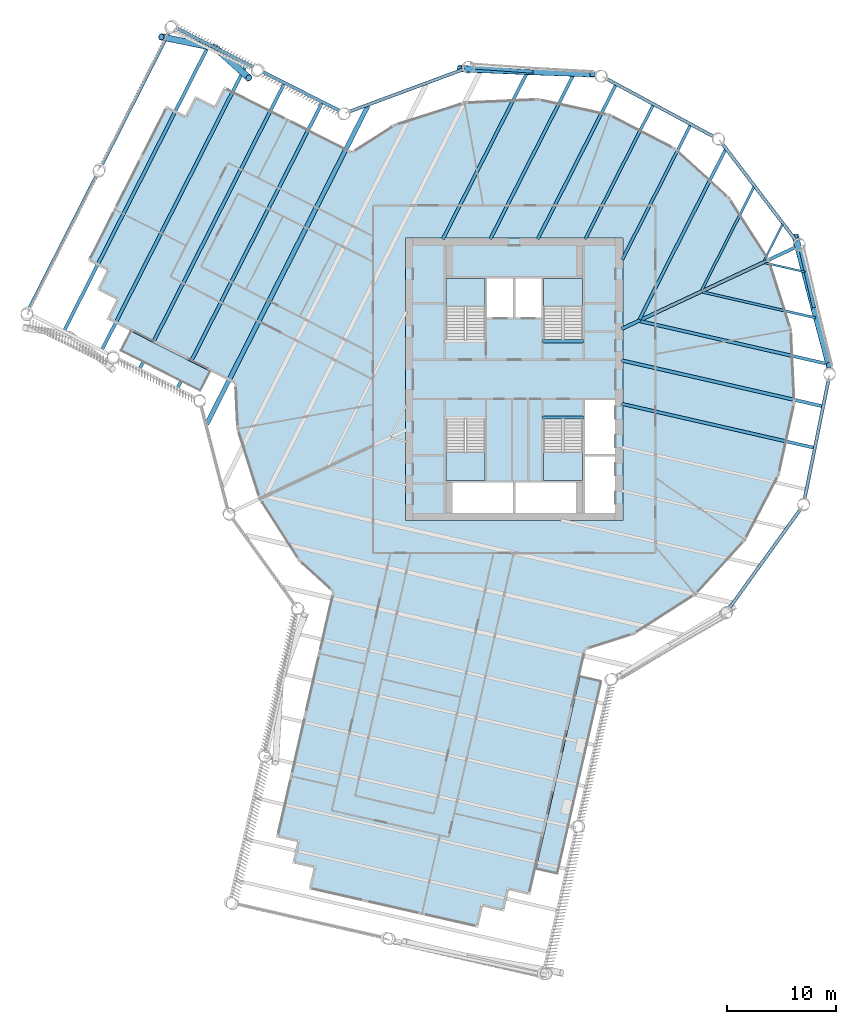
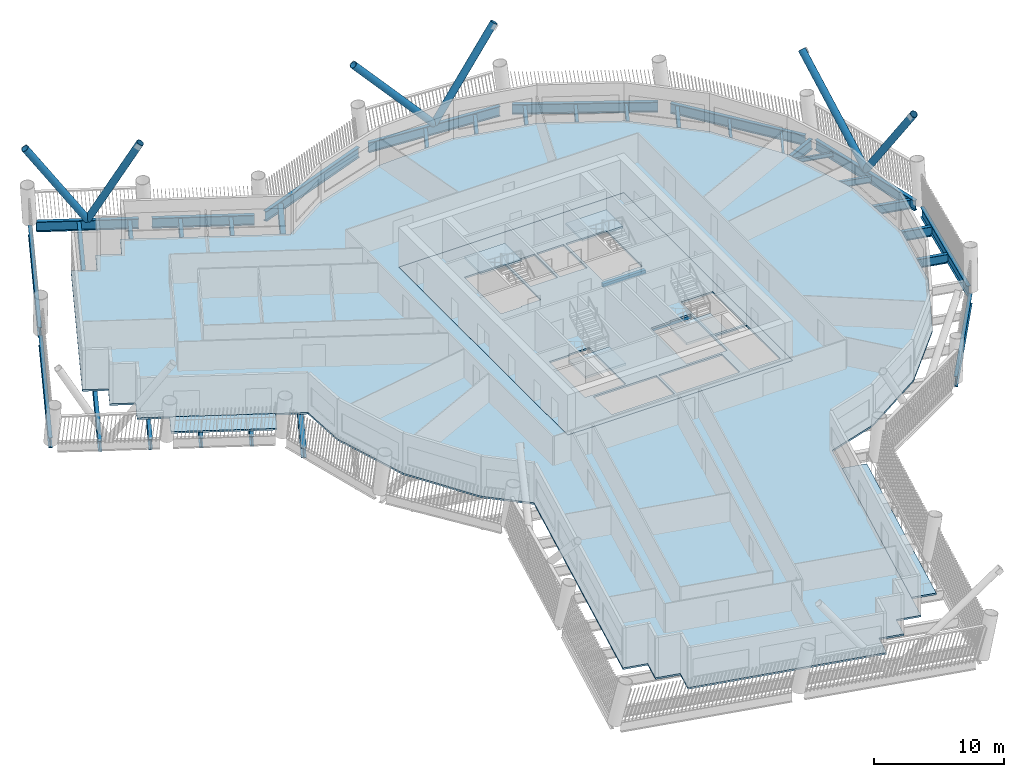
# One storey, part 2 of 21: 32 beams, 8 slabs, 6 members, 4 elements without a shape of their own.
"""IFC4 building model written with IfcOpenShell, lengths in metres."""

from ifc_helpers import new_model, si_unit, direction, frame, origin, origin_2d, place, context, subcontext, project, spatial, polyline, rectangle, hollow_circle, i_section, outline, extrude, material, layer, layer_set, material_profile, profile_set, type_object, element, aggregate, save


model = new_model("IFC4")

# Units and contexts
model_context = context("Model", 3, precision=1e-05, world=origin(), true_north=direction((0.0, 1.0)))
body_context = subcontext(model_context, "Body", "Model", "MODEL_VIEW")
ifc_project = project(units=[si_unit("LENGTHUNIT", "METRE"), si_unit("AREAUNIT", "SQUARE_METRE"), si_unit("VOLUMEUNIT", "CUBIC_METRE"), si_unit("PLANEANGLEUNIT", "RADIAN"), si_unit("MASSUNIT", "GRAM", prefix="KILO")], contexts=[model_context])

# Site, building, storey
site_placement = place(None, origin())
site = spatial("IfcSite", under=ifc_project, at=site_placement, CompositionType="ELEMENT")
building_placement = place(site_placement, origin())
building = spatial("IfcBuilding", under=site, at=building_placement, Name="Tarsis Ring Headquarters", CompositionType="ELEMENT")
storey_placement = place(building_placement, frame((0.0, 0.0, 171.0)))
storey = spatial("IfcBuildingStorey", under=building, at=storey_placement, Name="L39", CompositionType="ELEMENT", Elevation=171.0)

# Beams
ifc_material_1 = material(Name="Structural steel S355", Category="steel")
ifc_material_profile_1 = material_profile(ifc_material_1, i_section(OverallWidth=0.177734375, OverallDepth=0.406494140625, WebThickness=0.0078125, FlangeThickness=0.0126953125, at=origin_2d()), Name="W16x40")
ifc_profile_set_1 = profile_set([ifc_material_profile_1], Name="Structural steel S355")
beam_type_1 = type_object("IfcBeamType", Name="FB Floor beam W16x40", PredefinedType="JOIST", material=ifc_profile_set_1)
for number, where, z_axis, x_axis, name in (
    (1, (23.086181640625, 10.73095703125, -0.36328125), (0.974916213163, -0.222572184499, 0.0), (0.222572184499, 0.974916213163, 0.0), "Floor beam FB1"),
    (2, (24.72607421875, 14.294677734375, -0.36328125), (-0.451801417948, -0.892118534019, 0.0), (0.892118534019, -0.451801417948, 0.0), "Floor beam FB1"),
):
    element("IfcBeam", number, at=place(storey_placement, frame(where, z_axis=z_axis, x_axis=x_axis)), inside=storey, type_object=beam_type_1, Name=name, PredefinedType="JOIST", context=body_context, shape_type="SweptSolid", body=[
        extrude(i_section(OverallWidth=0.177734375, OverallDepth=0.406494140625, WebThickness=0.0078125, FlangeThickness=0.0126953125, at=origin_2d()), origin(), (0.0, 0.0, 1.0), 3.80517578125),
    ])
ifc_material_profile_2 = material_profile(ifc_material_1, i_section(OverallWidth=0.228271484375, OverallDepth=0.607177734375, WebThickness=0.01123046875, FlangeThickness=0.017333984375, at=origin_2d()), Name="W24x76")
ifc_profile_set_2 = profile_set([ifc_material_profile_2], Name="Structural steel S355")
beam_type_2 = type_object("IfcBeamType", Name="FB Floor beam W24x76", PredefinedType="JOIST", material=ifc_profile_set_2)
for number, where, z_axis, x_axis, name in (
    (3, (17.3515625, 8.039794921875, -0.463623046875), (0.974915341291, -0.222576003457, 0.0), (0.222576003457, 0.974915341291, 0.0), "Floor beam FB4"),
    (4, (22.099853515625, 17.74072265625, -0.463623046875), (-0.451823211334, -0.892107496718, 0.0), (0.892107496718, -0.451823211334, 0.0), "Floor beam FB4"),
):
    element("IfcBeam", number, at=place(storey_placement, frame(where, z_axis=z_axis, x_axis=x_axis)), inside=storey, type_object=beam_type_2, Name=name, PredefinedType="JOIST", context=body_context, shape_type="SweptSolid", body=[
        extrude(i_section(OverallWidth=0.228271484375, OverallDepth=0.607177734375, WebThickness=0.01123046875, FlangeThickness=0.017333984375, at=origin_2d()), origin(), (0.0, 0.0, 1.0), 10.684814453125),
    ])
ifc_material_profile_3 = material_profile(ifc_material_1, i_section(OverallWidth=0.2666015625, OverallDepth=0.7568359375, WebThickness=0.013916015625, FlangeThickness=0.019287109375, at=origin_2d()), Name="W30x108")
ifc_profile_set_3 = profile_set([ifc_material_profile_3], Name="Structural steel S355")
beam_type_3 = type_object("IfcBeamType", Name="FB Floor beam W30x108", PredefinedType="JOIST", material=ifc_profile_set_3)
beam_1_placement = place(storey_placement, frame((16.242431640625, 23.439208984375, -0.538330078125), z_axis=(-0.45181104343, -0.892113659258, 0.0), x_axis=(0.892113659258, -0.45181104343, 0.0)))
element("IfcBeam", 5, at=beam_1_placement, inside=storey, type_object=beam_type_3, Name="Floor beam FB6", PredefinedType="JOIST", context=body_context, shape_type="SweptSolid", body=[
    extrude(i_section(OverallWidth=0.2666015625, OverallDepth=0.7568359375, WebThickness=0.013916015625, FlangeThickness=0.019287109375, at=origin_2d()), origin(), (0.0, 0.0, 1.0), 13.91650390625),
])
beam_2_placement = place(storey_placement, frame((12.808837890625, 25.29150390625, -0.538330078125), z_axis=(-0.451816776282, -0.892110755832, 0.0), x_axis=(0.892110755832, -0.451816776282, 0.0)))
element("IfcBeam", 6, at=beam_2_placement, inside=storey, type_object=beam_type_3, Name="Floor beam FB6", PredefinedType="JOIST", context=body_context, shape_type="SweptSolid", body=[
    extrude(i_section(OverallWidth=0.2666015625, OverallDepth=0.7568359375, WebThickness=0.013916015625, FlangeThickness=0.019287109375, at=origin_2d()), origin(), (0.0, 0.0, 1.0), 13.8779296875),
])
ifc_material_profile_4 = material_profile(ifc_material_1, i_section(OverallWidth=0.2919921875, OverallDepth=0.835693359375, WebThickness=0.013916015625, FlangeThickness=0.018798828125, at=origin_2d()), Name="W33x118")
ifc_profile_set_4 = profile_set([ifc_material_profile_4], Name="Structural steel S355")
beam_type_4 = type_object("IfcBeamType", Name="FB Floor beam W33x118", PredefinedType="JOIST", material=ifc_profile_set_4)
beam_3_placement = place(storey_placement, frame((11.616943359375, 5.3486328125, -0.577880859375), z_axis=(0.974915152406, -0.2225768308, 0.0), x_axis=(0.2225768308, 0.974915152406, 0.0)))
element("IfcBeam", 7, at=beam_3_placement, inside=storey, type_object=beam_type_4, Name="Floor beam FB7", PredefinedType="JOIST", context=body_context, shape_type="SweptSolid", body=[
    extrude(i_section(OverallWidth=0.2919921875, OverallDepth=0.835693359375, WebThickness=0.013916015625, FlangeThickness=0.018798828125, at=origin_2d()), origin(), (0.0, 0.0, 1.0), 17.564453125),
])
beam_4_placement = place(storey_placement, frame((9.902587890625, -2.2607421875, -0.577880859375), z_axis=(0.974917523375, -0.222566445397, 0.0), x_axis=(0.222566445397, 0.974917523375, 0.0)))
element("IfcBeam", 8, at=beam_4_placement, inside=storey, type_object=beam_type_4, Name="Floor beam FB7", PredefinedType="JOIST", context=body_context, shape_type="SweptSolid", body=[
    extrude(i_section(OverallWidth=0.2919921875, OverallDepth=0.835693359375, WebThickness=0.013916015625, FlangeThickness=0.018798828125, at=origin_2d()), origin(), (0.0, 0.0, 1.0), 18.192626953125),
])
beam_5_placement = place(storey_placement, frame((19.473388671875, 21.18701171875, -0.577880859375), z_axis=(-0.451811267932, -0.892113545559, 0.0), x_axis=(0.892113545559, -0.451811267932, 0.0)))
element("IfcBeam", 9, at=beam_5_placement, inside=storey, type_object=beam_type_4, Name="Floor beam FB7", PredefinedType="JOIST", context=body_context, shape_type="SweptSolid", body=[
    extrude(i_section(OverallWidth=0.2919921875, OverallDepth=0.835693359375, WebThickness=0.013916015625, FlangeThickness=0.018798828125, at=origin_2d()), origin(), (0.0, 0.0, 1.0), 17.564453125),
])
beam_6_placement = place(storey_placement, frame((9.37548828125, 27.143798828125, -0.577880859375), z_axis=(-0.4518228888, -0.892107660071, 0.0), x_axis=(0.892107660071, -0.4518228888, 0.0)))
element("IfcBeam", 10, at=beam_6_placement, inside=storey, type_object=beam_type_4, Name="Floor beam FB7", PredefinedType="JOIST", context=body_context, shape_type="SweptSolid", body=[
    extrude(i_section(OverallWidth=0.2919921875, OverallDepth=0.835693359375, WebThickness=0.013916015625, FlangeThickness=0.018798828125, at=origin_2d()), origin(), (0.0, 0.0, 1.0), 15.954345703125),
])
beam_7_placement = place(storey_placement, frame((5.44775390625, 28.020751953125, -0.577880859375), z_axis=(-0.451808793779, -0.89211479859, 0.0), x_axis=(0.89211479859, -0.451808793779, 0.0)))
element("IfcBeam", 11, at=beam_7_placement, inside=storey, type_object=beam_type_4, Name="Floor beam FB7", PredefinedType="JOIST", context=body_context, shape_type="SweptSolid", body=[
    extrude(i_section(OverallWidth=0.2919921875, OverallDepth=0.835693359375, WebThickness=0.013916015625, FlangeThickness=0.018798828125, at=origin_2d()), origin(), (0.0, 0.0, 1.0), 16.93701171875),
])
beam_8_placement = place(storey_placement, frame((1.225830078125, 28.316162109375, -0.577880859375), z_axis=(-0.451811035465, -0.892113663292, 0.0), x_axis=(0.892113663292, -0.451811035465, 0.0)))
element("IfcBeam", 12, at=beam_8_placement, inside=storey, type_object=beam_type_4, Name="Floor beam FB7", PredefinedType="JOIST", context=body_context, shape_type="SweptSolid", body=[
    extrude(i_section(OverallWidth=0.2919921875, OverallDepth=0.835693359375, WebThickness=0.013916015625, FlangeThickness=0.018798828125, at=origin_2d()), origin(), (0.0, 0.0, 1.0), 17.268310546875),
])
ifc_material_profile_5 = material_profile(ifc_material_1, i_section(OverallWidth=0.3046875, OverallDepth=0.904296875, WebThickness=0.01513671875, FlangeThickness=0.02001953125, at=origin_2d()), Name="W36x135")
ifc_profile_set_5 = profile_set([ifc_material_profile_5], Name="Structural steel S355")
beam_type_5 = type_object("IfcBeamType", Name="FB Floor beam W36x135", PredefinedType="JOIST", material=ifc_profile_set_5)
beam_9_placement = place(storey_placement, frame((9.902587890625, 1.73974609375, -0.612060546875), z_axis=(0.974916346322, -0.222571601228, 0.0), x_axis=(0.222571601228, 0.974916346322, 0.0)))
element("IfcBeam", 13, at=beam_9_placement, inside=storey, type_object=beam_type_5, Name="Floor beam FB8", PredefinedType="JOIST", context=body_context, shape_type="SweptSolid", body=[
    extrude(i_section(OverallWidth=0.3046875, OverallDepth=0.904296875, WebThickness=0.01513671875, FlangeThickness=0.02001953125, at=origin_2d()), origin(), (0.0, 0.0, 1.0), 18.98193359375),
])
ifc_material_profile_6 = material_profile(ifc_material_1, i_section(OverallWidth=0.309814453125, OverallDepth=0.949951171875, WebThickness=0.0244140625, FlangeThickness=0.0439453125, at=origin_2d()), Name="W36x256")
ifc_profile_set_6 = profile_set([ifc_material_profile_6], Name="Structural steel S355")
beam_type_6 = type_object("IfcBeamType", Name="FB Floor beam W36x256", PredefinedType="JOIST", material=ifc_profile_set_6)
beam_10_placement = place(storey_placement, frame((-17.692626953125, 25.48876953125, -0.635009765625), z_axis=(-0.451810636589, -0.892113865302, 0.0), x_axis=(0.892113865302, -0.451810636589, 0.0)))
element("IfcBeam", 14, at=beam_10_placement, inside=storey, type_object=beam_type_6, Name="Floor beam FB11", PredefinedType="JOIST", context=body_context, shape_type="SweptSolid", body=[
    extrude(i_section(OverallWidth=0.309814453125, OverallDepth=0.949951171875, WebThickness=0.0244140625, FlangeThickness=0.0439453125, at=origin_2d()), origin(), (0.0, 0.0, 1.0), 29.490234375),
])
beam_11_placement = place(storey_placement, frame((-21.171875, 27.250732421875, -0.635009765625), z_axis=(-0.451813973482, -0.892112175327, 0.0), x_axis=(0.892112175327, -0.451813973482, 0.0)))
element("IfcBeam", 15, at=beam_11_placement, inside=storey, type_object=beam_type_6, Name="Floor beam FB11", PredefinedType="JOIST", context=body_context, shape_type="SweptSolid", body=[
    extrude(i_section(OverallWidth=0.309814453125, OverallDepth=0.949951171875, WebThickness=0.0244140625, FlangeThickness=0.0439453125, at=origin_2d()), origin(), (0.0, 0.0, 1.0), 29.489990234375),
])
for number, where, z_axis, x_axis, name in (
    (16, (-24.651123046875, 29.012939453125, -0.635009765625), (-0.451810636589, -0.892113865302, 0.0), (0.892113865302, -0.451810636589, 0.0), "Floor beam FB11"),
    (17, (-28.13037109375, 30.77490234375, -0.635009765625), (-0.451810636589, -0.892113865302, 0.0), (0.892113865302, -0.451810636589, 0.0), "Floor beam FB11"),
):
    element("IfcBeam", number, at=place(storey_placement, frame(where, z_axis=z_axis, x_axis=x_axis)), inside=storey, type_object=beam_type_6, Name=name, PredefinedType="JOIST", context=body_context, shape_type="SweptSolid", body=[
        extrude(i_section(OverallWidth=0.309814453125, OverallDepth=0.949951171875, WebThickness=0.0244140625, FlangeThickness=0.0439453125, at=origin_2d()), origin(), (0.0, 0.0, 1.0), 29.490234375),
    ])
beam_type_7 = type_object("IfcBeamType", Name="FB Floor beam W36x256 spine", PredefinedType="BEAM", material=ifc_profile_set_6)
beam_12_placement = place(storey_placement, frame((26.243896484375, 12.31591796875, -0.635009765625), z_axis=(-0.90527262819, -0.424831106028, 0.0), x_axis=(0.424831106028, -0.90527262819, 0.0)))
element("IfcBeam", 18, at=beam_12_placement, inside=storey, type_object=beam_type_7, Name="Floor beam SB11", PredefinedType="BEAM", context=body_context, shape_type="SweptSolid", body=[
    extrude(i_section(OverallWidth=0.309814453125, OverallDepth=0.949951171875, WebThickness=0.0244140625, FlangeThickness=0.0439453125, at=origin_2d()), origin(), (0.0, 0.0, 1.0), 18.043701171875),
])
ifc_material_profile_7 = material_profile(ifc_material_1, i_section(OverallWidth=0.42431640625, OverallDepth=0.947509765625, WebThickness=0.02392578125, FlangeThickness=0.042724609375, at=origin_2d()), Name="W36x302")
ifc_profile_set_7 = profile_set([ifc_material_profile_7], Name="Structural steel S355")
beam_type_8 = type_object("IfcBeamType", Name="FB Floor beam W36x302", PredefinedType="JOIST", material=ifc_profile_set_7)
beam_13_placement = place(storey_placement, frame((-13.468017578125, 25.198486328125, -0.6337890625), z_axis=(-0.451811933716, -0.892113208372, 0.0), x_axis=(0.892113208372, -0.451811933716, 0.0)))
element("IfcBeam", 19, at=beam_13_placement, inside=storey, type_object=beam_type_8, Name="Floor beam FB12", PredefinedType="JOIST", context=body_context, shape_type="SweptSolid", body=[
    extrude(i_section(OverallWidth=0.42431640625, OverallDepth=0.947509765625, WebThickness=0.02392578125, FlangeThickness=0.042724609375, at=origin_2d()), origin(), (0.0, 0.0, 1.0), 32.87548828125),
])
ifc_material_2 = material(Name="Concrete C40/50", Category="concrete")
ifc_material_profile_8 = material_profile(ifc_material_2, rectangle(XDim=0.300048828125, YDim=0.300048828125, at=origin_2d()), Name="Stair head beam 300x300 C40/50")
ifc_profile_set_8 = profile_set([ifc_material_profile_8], Name="Concrete C40/50")
beam_type_9 = type_object("IfcBeamType", Name="Stair head beam 300x300 C40/50", PredefinedType="BEAM", material=ifc_profile_set_8)
for number, where, z_axis, x_axis, name in (
    (20, (2.60009765625, 3.510009765625, -0.31005859375), (1.0, 0.0, 0.0), (0.0, 1.0, 0.0), "Stair head beam L39 Exit stair B"),
    (21, (2.60009765625, -3.510009765625, -0.31005859375), (1.0, 0.0, 0.0), (0.0, 1.0, 0.0), "Stair head beam L39 Exit stair D"),
):
    element("IfcBeam", number, at=place(storey_placement, frame(where, z_axis=z_axis, x_axis=x_axis)), inside=storey, type_object=beam_type_9, Name=name, PredefinedType="BEAM", context=body_context, shape_type="SweptSolid", body=[
        extrude(rectangle(XDim=0.300048828125, YDim=0.300048828125, at=origin_2d()), origin(), (0.0, 0.0, 1.0), 3.7998046875),
    ])

# Members
ifc_material_profile_9 = material_profile(ifc_material_1, hollow_circle(Radius=0.3046875, WallThickness=0.02490234375, at=origin_2d()), Name="CHS 610x25")
ifc_profile_set_9 = profile_set([ifc_material_profile_9], Name="Structural steel S355")
member_type = type_object("IfcMemberType", Name="XD X brace CHS 610x25", PredefinedType="BRACE", material=ifc_profile_set_9)
member_1_placement = place(storey_placement, frame((27.671142578125, 6.37255859375, 0.0), z_axis=(-0.169177130766, 0.647015260497, 0.743471822674), x_axis=(-0.967474484154, -0.252968619616, 0.0)))
element("IfcMember", 22, at=member_1_placement, inside=storey, type_object=member_type, Name="X brace XD1", PredefinedType="BRACE", context=body_context, shape_type="SweptSolid", body=[
    extrude(hollow_circle(Radius=0.3046875, WallThickness=0.02490234375, at=origin_2d()), origin(), (0.0, 0.0, 1.0), 10.491455078125),
])
member_2_placement = place(storey_placement, frame((27.671142578125, 6.37255859375, 0.0), z_axis=(0.143454627544, -0.5383122552, 0.830446076358), x_axis=(0.96627751834, 0.257502927268, 0.0)))
element("IfcMember", 23, at=member_2_placement, inside=storey, type_object=member_type, Name="X brace XD1", PredefinedType="BRACE", context=body_context, shape_type="SweptSolid", body=[
    extrude(hollow_circle(Radius=0.3046875, WallThickness=0.02490234375, at=origin_2d()), origin(), (0.0, 0.0, 1.0), 9.392578125),
])
member_3_placement = place(storey_placement, frame((1.982666015625, 28.326171875, 0.0), z_axis=(-0.668229724976, 0.027063350402, 0.743462581253), x_axis=(-0.040466895219, -0.999180879717, 0.0)))
element("IfcMember", 24, at=member_3_placement, inside=storey, type_object=member_type, Name="X brace XD1", PredefinedType="BRACE", context=body_context, shape_type="SweptSolid", body=[
    extrude(hollow_circle(Radius=0.3046875, WallThickness=0.02490234375, at=origin_2d()), origin(), (0.0, 0.0, 1.0), 10.491455078125),
])
member_4_placement = place(storey_placement, frame((1.982666015625, 28.326171875, 0.0), z_axis=(0.556741788515, -0.019910556515, 0.830446958367), x_axis=(0.035739792951, 0.999361129522, 0.0)))
element("IfcMember", 25, at=member_4_placement, inside=storey, type_object=member_type, Name="X brace XD1", PredefinedType="BRACE", context=body_context, shape_type="SweptSolid", body=[
    extrude(hollow_circle(Radius=0.3046875, WallThickness=0.02490234375, at=origin_2d()), origin(), (0.0, 0.0, 1.0), 9.392578125),
])
member_5_placement = place(storey_placement, frame((-27.524658203125, 30.52978515625, 0.0), z_axis=(-0.534793027572, 0.108044559573, 0.838047009903), x_axis=(-0.198029600255, -0.980196040302, 0.0)))
element("IfcMember", 26, at=member_5_placement, inside=storey, type_object=member_type, Name="X brace XD1", PredefinedType="BRACE", context=body_context, shape_type="SweptSolid", body=[
    extrude(hollow_circle(Radius=0.3046875, WallThickness=0.02490234375, at=origin_2d()), origin(), (0.0, 0.0, 1.0), 9.307373046875),
])
member_6_placement = place(storey_placement, frame((-27.524658203125, 30.52978515625, 0.0), z_axis=(0.349467595838, -0.313036504221, 0.883108456807), x_axis=(0.667214955008, 0.744865225268, 0.0)))
element("IfcMember", 27, at=member_6_placement, inside=storey, type_object=member_type, Name="X brace XD1", PredefinedType="BRACE", context=body_context, shape_type="SweptSolid", body=[
    extrude(hollow_circle(Radius=0.3046875, WallThickness=0.02490234375, at=origin_2d()), origin(), (0.0, 0.0, 1.0), 8.83251953125),
])

# Beams
beam_type_10 = type_object("IfcBeamType", Name="XG Ring girder W36x256", PredefinedType="BEAM", material=ifc_profile_set_6)
for number, where, z_axis, x_axis, name in (
    (28, (19.773193359375, -21.140625, -0.47509765625), (0.583764009718, 0.811923383675, 0.0), (-0.811923383675, 0.583764009718, 0.0), "Ring girder XG2"),
    (29, (26.729248046875, -11.11083984375, -0.47509765625), (0.19721428251, 0.980360406572, 0.0), (-0.980360406572, 0.19721428251, 0.0), "Ring girder XG2"),
):
    element("IfcBeam", number, at=place(storey_placement, frame(where, z_axis=z_axis, x_axis=x_axis)), inside=storey, type_object=beam_type_10, Name=name, PredefinedType="BEAM", context=body_context, shape_type="SweptSolid", body=[
        extrude(i_section(OverallWidth=0.309814453125, OverallDepth=0.949951171875, WebThickness=0.0244140625, FlangeThickness=0.0439453125, at=origin_2d()), origin(), (0.0, 0.0, 1.0), 11.242919921875),
    ])
beam_14_placement = place(storey_placement, frame((28.932861328125, 0.894287109375, -0.47509765625), z_axis=(-0.224421773535, 0.974492107492, 0.0), x_axis=(-0.974492107492, -0.224421773535, 0.0)))
element("IfcBeam", 30, at=beam_14_placement, inside=storey, type_object=beam_type_10, Name="Ring girder XG2", PredefinedType="BEAM", context=body_context, shape_type="SweptSolid", body=[
    extrude(i_section(OverallWidth=0.309814453125, OverallDepth=0.949951171875, WebThickness=0.0244140625, FlangeThickness=0.0439453125, at=origin_2d()), origin(), (0.0, 0.0, 1.0), 11.2431640625),
])
beam_15_placement = place(storey_placement, frame((25.991943359375, 12.74072265625, -0.47509765625), z_axis=(-0.606149198443, 0.795350959783, 0.0), x_axis=(-0.795350959783, -0.606149198443, 0.0)))
element("IfcBeam", 31, at=beam_15_placement, inside=storey, type_object=beam_type_10, Name="Ring girder XG2", PredefinedType="BEAM", context=body_context, shape_type="SweptSolid", body=[
    extrude(i_section(OverallWidth=0.309814453125, OverallDepth=0.949951171875, WebThickness=0.0244140625, FlangeThickness=0.0439453125, at=origin_2d()), origin(), (0.0, 0.0, 1.0), 11.242919921875),
])
beam_16_placement = place(storey_placement, frame((18.4296875, 22.32177734375, -0.47509765625), z_axis=(-0.880097792309, 0.474792455683, 0.0), x_axis=(-0.474792455683, -0.880097792309, 0.0)))
element("IfcBeam", 32, at=beam_16_placement, inside=storey, type_object=beam_type_10, Name="Ring girder XG2", PredefinedType="BEAM", context=body_context, shape_type="SweptSolid", body=[
    extrude(i_section(OverallWidth=0.309814453125, OverallDepth=0.949951171875, WebThickness=0.0244140625, FlangeThickness=0.0439453125, at=origin_2d()), origin(), (0.0, 0.0, 1.0), 11.2431640625),
])
for number, where, z_axis, x_axis, name in (
    (33, (7.59033203125, 27.933837890625, -0.47509765625), (-0.997560071237, 0.069813353121, 0.0), (-0.069813353121, -0.997560071237, 0.0), "Ring girder XG2"),
    (34, (-4.598388671875, 28.5791015625, -0.47509765625), (-0.937653902714, -0.347570365142, 0.0), (0.347570365142, -0.937653902714, 0.0), "Ring girder XG2"),
):
    element("IfcBeam", number, at=place(storey_placement, frame(where, z_axis=z_axis, x_axis=x_axis)), inside=storey, type_object=beam_type_10, Name=name, PredefinedType="BEAM", context=body_context, shape_type="SweptSolid", body=[
        extrude(i_section(OverallWidth=0.309814453125, OverallDepth=0.949951171875, WebThickness=0.0244140625, FlangeThickness=0.0439453125, at=origin_2d()), origin(), (0.0, 0.0, 1.0), 11.242919921875),
    ])
beam_17_placement = place(storey_placement, frame((-16.060791015625, 24.723876953125, -0.47509765625), z_axis=(-0.892115041428, 0.451808314285, 0.0), x_axis=(-0.451808314285, -0.892115041428, 0.0)))
element("IfcBeam", 35, at=beam_17_placement, inside=storey, type_object=beam_type_10, Name="Ring girder XG2", PredefinedType="BEAM", context=body_context, shape_type="SweptSolid", body=[
    extrude(i_section(OverallWidth=0.309814453125, OverallDepth=0.949951171875, WebThickness=0.0244140625, FlangeThickness=0.0439453125, at=origin_2d()), origin(), (0.0, 0.0, 1.0), 7.896240234375),
])
beam_18_placement = place(storey_placement, frame((-24.00244140625, 28.745849609375, -0.47509765625), z_axis=(-0.892102579201, 0.45183292065, 0.0), x_axis=(-0.45183292065, -0.892102579201, 0.0)))
element("IfcBeam", 36, at=beam_18_placement, inside=storey, type_object=beam_type_10, Name="Ring girder XG2", PredefinedType="BEAM", context=body_context, shape_type="SweptSolid", body=[
    extrude(i_section(OverallWidth=0.309814453125, OverallDepth=0.949951171875, WebThickness=0.0244140625, FlangeThickness=0.0439453125, at=origin_2d()), origin(), (0.0, 0.0, 1.0), 7.896484375),
])
beam_19_placement = place(storey_placement, frame((-31.722900390625, 32.09228515625, -0.47509765625), z_axis=(-0.45180930723, -0.892114538555, 0.0), x_axis=(0.892114538555, -0.45180930723, 0.0)))
element("IfcBeam", 37, at=beam_19_placement, inside=storey, type_object=beam_type_10, Name="Ring girder XG2", PredefinedType="BEAM", context=body_context, shape_type="SweptSolid", body=[
    extrude(i_section(OverallWidth=0.309814453125, OverallDepth=0.949951171875, WebThickness=0.0244140625, FlangeThickness=0.0439453125, at=origin_2d()), origin(), (0.0, 0.0, 1.0), 13.79443359375),
])
beam_20_placement = place(storey_placement, frame((-38.40966796875, 18.888916015625, -0.47509765625), z_axis=(-0.451816441017, -0.892110925629, 0.0), x_axis=(0.892110925629, -0.451816441017, 0.0)))
element("IfcBeam", 38, at=beam_20_placement, inside=storey, type_object=beam_type_10, Name="Ring girder XG2", PredefinedType="BEAM", context=body_context, shape_type="SweptSolid", body=[
    extrude(i_section(OverallWidth=0.309814453125, OverallDepth=0.949951171875, WebThickness=0.0244140625, FlangeThickness=0.0439453125, at=origin_2d()), origin(), (0.0, 0.0, 1.0), 13.794189453125),
])

# Slabs
ifc_layer_1 = layer(ifc_material_2, 0.159912109375)
ifc_layer_set_1 = layer_set([ifc_layer_1], Name="Balcony slab concrete C40/50")
slab_type_1 = type_object("IfcSlabType", Name="Balcony slab concrete C40/50", PredefinedType="FLOOR", material=ifc_layer_set_1)
slab_1_placement = place(storey_placement, frame((0.0, 0.0, -0.159912109375)))
element("IfcSlab", 39, at=slab_1_placement, inside=storey, type_object=slab_type_1, Name="Balcony slab L39-01", PredefinedType="FLOOR", context=body_context, shape_type="SweptSolid", body=[
    extrude(outline(polyline([(-35.3076171875, 4.430419921875), (-36.211181640625, 2.64599609375), (-28.9208984375, -1.046142578125), (-28.01708984375, 0.738037109375), (-35.3076171875, 4.430419921875)])), origin(), (0.0, 0.0, 1.0), 0.159912109375),
])
slab_2_placement = place(storey_placement, frame((0.0, 0.0, -0.159912109375)))
element("IfcSlab", 40, at=slab_2_placement, inside=storey, type_object=slab_type_1, Name="Balcony slab L39-16", PredefinedType="FLOOR", context=body_context, shape_type="SweptSolid", body=[
    extrude(outline(polyline([(2.017333984375, -45.079833984375), (3.967041015625, -45.52490234375), (8.007080078125, -27.828857421875), (6.05712890625, -27.3837890625), (2.017333984375, -45.079833984375)])), origin(), (0.0, 0.0, 1.0), 0.159912109375),
])
ifc_layer_2 = layer(ifc_material_2, 0.159912109375)
ifc_layer_set_2 = layer_set([ifc_layer_2], Name="Core floor slab 160 C40/50")
slab_type_2 = type_object("IfcSlabType", Name="Core floor slab 160 C40/50", PredefinedType="FLOOR", material=ifc_layer_set_2)
slab_3_placement = place(storey_placement, frame((0.0, 0.0, -0.159912109375)))
element("IfcSlab", 41, at=slab_3_placement, inside=storey, type_object=slab_type_2, Name="L39 core floor slab", PredefinedType="FLOOR", context=body_context, shape_type="SweptSolid", body=[
    extrude(outline(polyline([(-10.0, -13.0), (10.0, -13.0), (10.0, 13.0), (-10.0, 13.0), (-10.0, -13.0)]), holes=[polyline([(-2.5, 5.699951171875), (-0.10009765625, 5.699951171875), (-0.10009765625, 9.300048828125), (-2.5, 9.300048828125), (-2.5, 5.699951171875)]), polyline([(0.10009765625, 5.699951171875), (2.5, 5.699951171875), (2.5, 9.300048828125), (0.10009765625, 9.300048828125), (0.10009765625, 5.699951171875)]), polyline([(6.5, -12.300048828125), (9.300048828125, -12.300048828125), (9.300048828125, -7.10009765625), (6.5, -7.10009765625), (6.5, -12.300048828125)]), polyline([(6.5, -6.89990234375), (9.300048828125, -6.89990234375), (9.300048828125, -1.89990234375), (6.5, -1.89990234375), (6.5, -6.89990234375)]), polyline([(-5.699951171875, -12.300048828125), (-0.10009765625, -12.300048828125), (-0.10009765625, -9.5), (-5.699951171875, -9.5), (-5.699951171875, -12.300048828125)]), polyline([(0.10009765625, -12.300048828125), (5.699951171875, -12.300048828125), (5.699951171875, -9.5), (0.10009765625, -9.5), (0.10009765625, -12.300048828125)]), polyline([(-2.699951171875, 3.760009765625), (-2.699951171875, 9.300048828125), (-6.300048828125, 9.300048828125), (-6.300048828125, 3.659912109375), (-4.4599609375, 3.659912109375), (-4.4599609375, 3.760009765625), (-2.699951171875, 3.760009765625)]), polyline([(6.300048828125, 3.760009765625), (6.300048828125, 9.300048828125), (2.699951171875, 9.300048828125), (2.699951171875, 3.659912109375), (4.5400390625, 3.659912109375), (4.5400390625, 3.760009765625), (6.300048828125, 3.760009765625)]), polyline([(-6.300048828125, -3.760009765625), (-6.300048828125, -9.300048828125), (-2.699951171875, -9.300048828125), (-2.699951171875, -3.659912109375), (-4.5400390625, -3.659912109375), (-4.5400390625, -3.760009765625), (-6.300048828125, -3.760009765625)]), polyline([(2.699951171875, -3.760009765625), (2.699951171875, -9.300048828125), (6.300048828125, -9.300048828125), (6.300048828125, -3.659912109375), (4.4599609375, -3.659912109375), (4.4599609375, -3.760009765625), (2.699951171875, -3.760009765625)])]), origin(), (0.0, 0.0, 1.0), 0.159912109375),
])

# Stair, slab
ifc_material_3 = material(Name="Core stair 1760")
stair_type = type_object("IfcStairType", Name="Core stair 1760", PredefinedType="HALF_TURN_STAIR", material=ifc_material_3)
stair_1_placement = place(storey_placement, origin())
stair_1 = element("IfcStair", 42, at=stair_1_placement, inside=storey, type_object=stair_type, Name="L39 Firefighting stair", PredefinedType="HALF_TURN_STAIR")
ifc_layer_3 = layer(ifc_material_2, 0.199951171875)
ifc_layer_set_3 = layer_set([ifc_layer_3], Name="Core stair landing 200")
slab_type_3 = type_object("IfcSlabType", Name="Core stair landing 200", PredefinedType="LANDING", material=ifc_layer_set_3)
slab_4_placement = place(storey_placement, frame((0.0, 0.0, 1.75)))
slab_4 = element("IfcSlab", 43, at=slab_4_placement, type_object=slab_type_3, Name="Stair ST1 landing 1", PredefinedType="LANDING", context=body_context, shape_type="SweptSolid", body=[
    extrude(outline(polyline([(-2.699951171875, 6.739990234375), (-2.699951171875, 9.300048828125), (-6.300048828125, 9.300048828125), (-6.300048828125, 6.739990234375), (-2.699951171875, 6.739990234375)])), origin(), (0.0, 0.0, 1.0), 0.199951171875),
])
aggregate(stair_1, [slab_4])

stair_2_placement = place(storey_placement, origin())
stair_2 = element("IfcStair", 44, at=stair_2_placement, inside=storey, type_object=stair_type, Name="L39 Exit stair B", PredefinedType="HALF_TURN_STAIR")
slab_5_placement = place(storey_placement, frame((0.0, 0.0, 1.75)))
slab_5 = element("IfcSlab", 45, at=slab_5_placement, type_object=slab_type_3, Name="Stair ST2 landing 1", PredefinedType="LANDING", context=body_context, shape_type="SweptSolid", body=[
    extrude(outline(polyline([(6.300048828125, 6.739990234375), (6.300048828125, 9.300048828125), (2.699951171875, 9.300048828125), (2.699951171875, 6.739990234375), (6.300048828125, 6.739990234375)])), origin(), (0.0, 0.0, 1.0), 0.199951171875),
])
aggregate(stair_2, [slab_5])

stair_3_placement = place(storey_placement, origin())
stair_3 = element("IfcStair", 46, at=stair_3_placement, inside=storey, type_object=stair_type, Name="L39 Exit stair C", PredefinedType="HALF_TURN_STAIR")
slab_6_placement = place(storey_placement, frame((0.0, 0.0, 1.75)))
slab_6 = element("IfcSlab", 47, at=slab_6_placement, type_object=slab_type_3, Name="Stair ST3 landing 1", PredefinedType="LANDING", context=body_context, shape_type="SweptSolid", body=[
    extrude(outline(polyline([(-6.300048828125, -6.739990234375), (-6.300048828125, -9.300048828125), (-2.699951171875, -9.300048828125), (-2.699951171875, -6.739990234375), (-6.300048828125, -6.739990234375)])), origin(), (0.0, 0.0, 1.0), 0.199951171875),
])
aggregate(stair_3, [slab_6])

stair_4_placement = place(storey_placement, origin())
stair_4 = element("IfcStair", 48, at=stair_4_placement, inside=storey, type_object=stair_type, Name="L39 Exit stair D", PredefinedType="HALF_TURN_STAIR")
slab_7_placement = place(storey_placement, frame((0.0, 0.0, 1.75)))
slab_7 = element("IfcSlab", 49, at=slab_7_placement, type_object=slab_type_3, Name="Stair ST4 landing 1", PredefinedType="LANDING", context=body_context, shape_type="SweptSolid", body=[
    extrude(outline(polyline([(2.699951171875, -6.739990234375), (2.699951171875, -9.300048828125), (6.300048828125, -9.300048828125), (6.300048828125, -6.739990234375), (2.699951171875, -6.739990234375)])), origin(), (0.0, 0.0, 1.0), 0.199951171875),
])
aggregate(stair_4, [slab_7])

# Slab
ifc_material_4 = material(Name="Concrete C35/45", Category="concrete")
ifc_layer_4 = layer(ifc_material_4, 0.159912109375)
ifc_layer_set_4 = layer_set([ifc_layer_4], Name="FS Composite floor slab 160")
slab_type_4 = type_object("IfcSlabType", Name="FS Composite floor slab 160", PredefinedType="FLOOR", material=ifc_layer_set_4)
slab_8_placement = place(storey_placement, frame((0.0, 0.0, -0.159912109375)))
element("IfcSlab", 50, at=slab_8_placement, inside=storey, type_object=slab_type_4, Name="Floor slab L39", PredefinedType="FLOOR", context=body_context, shape_type="SweptSolid", body=[
    extrude(outline(polyline([(-25.786865234375, -0.391357421875), (-25.593994140625, -4.577392578125), (-23.537109375, -11.045654296875), (-19.876220703125, -16.760986328125), (-16.77978515625, -19.58447265625), (-21.937255859375, -42.17529296875), (-19.9873046875, -42.620361328125), (-20.4326171875, -44.5703125), (-18.482666015625, -45.015380859375), (-18.927734375, -46.96533203125), (-3.3291015625, -50.5263671875), (-2.884033203125, -48.57666015625), (-0.93408203125, -49.021728515625), (-0.489013671875, -47.07177734375), (1.460693359375, -47.51708984375), (6.613525390625, -24.946533203125), (11.045654296875, -23.537109375), (16.760986328125, -19.876220703125), (21.334228515625, -14.86083984375), (24.45361328125, -8.832763671875), (25.906494140625, -2.20263671875), (25.593994140625, 4.577392578125), (23.537109375, 11.045654296875), (19.876220703125, 16.760986328125), (14.86083984375, 21.334228515625), (8.832763671875, 24.45361328125), (2.20263671875, 25.906494140625), (-4.577392578125, 25.593994140625), (-11.045654296875, 23.537109375), (-14.9619140625, 21.028564453125), (-26.6943359375, 26.970703125), (-27.597900390625, 25.186279296875), (-29.382080078125, 26.090087890625), (-30.285888671875, 24.3056640625), (-32.070068359375, 25.20947265625), (-39.299072265625, 10.935546875), (-37.514892578125, 10.031982421875), (-38.41845703125, 8.247802734375), (-36.63427734375, 7.343994140625), (-37.537841796875, 5.559814453125), (-25.786865234375, -0.391357421875)]), holes=[polyline([(-10.0, -13.0), (-10.0, 13.0), (10.0, 13.0), (10.0, -13.0), (-10.0, -13.0)])]), origin(), (0.0, 0.0, 1.0), 0.159912109375),
])

save(model, "model.ifc")
